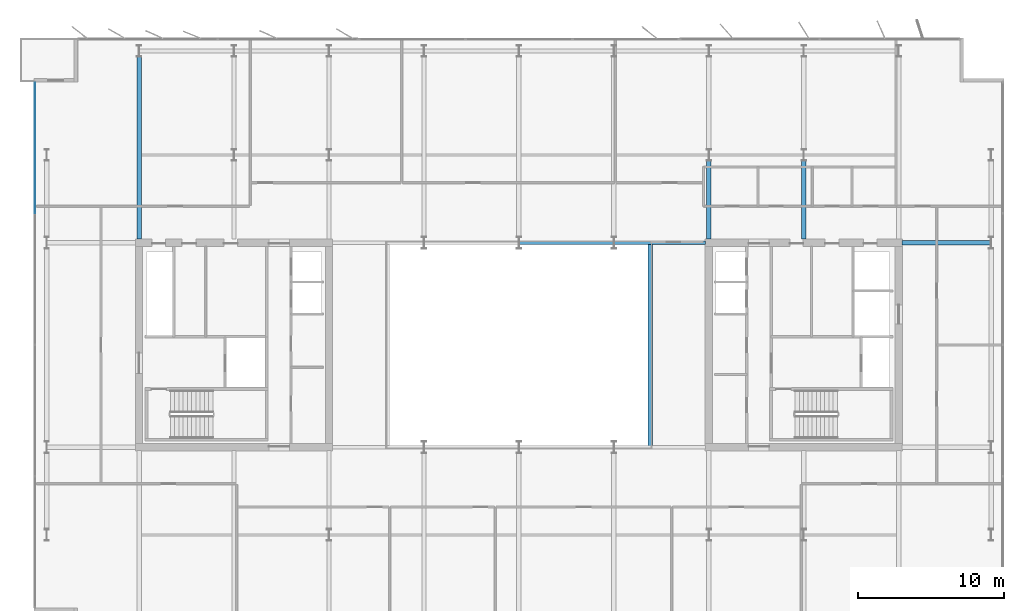
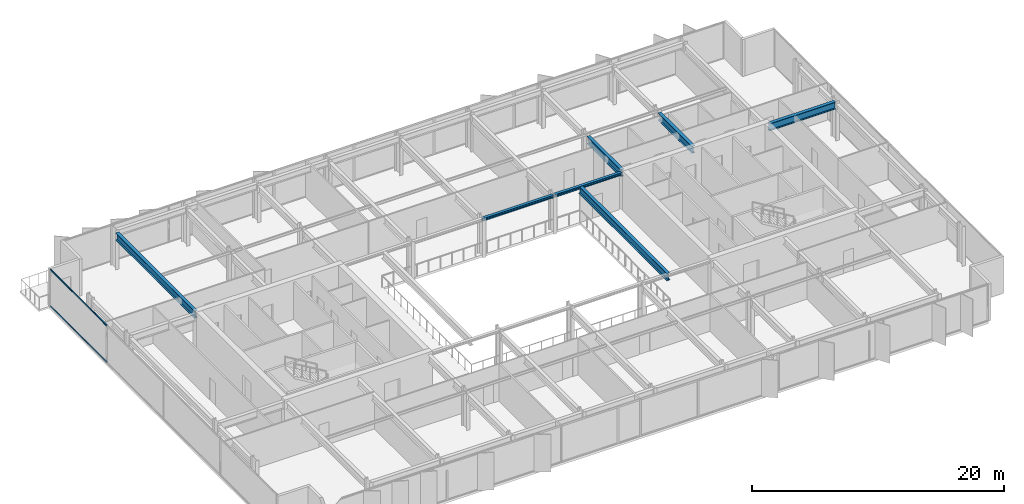
# One storey, part 9 of 23: 7 beams, 2 members, 1 element without a shape of its own.
"""IFC4 building model written with IfcOpenShell, lengths in metres."""

from ifc_helpers import new_model, si_unit, direction, frame, origin, origin_2d, place, context, subcontext, project, spatial, rectangle, i_section, extrude, material, layer, layer_set, material_profile, profile_set, type_object, element, aggregate, save


model = new_model("IFC4")

# Units and contexts
model_context = context("Model", 3, precision=1e-05, world=origin(), true_north=direction((0.0, 1.0)))
body_context = subcontext(model_context, "Body", "Model", "MODEL_VIEW")
ifc_project = project(units=[si_unit("LENGTHUNIT", "METRE"), si_unit("AREAUNIT", "SQUARE_METRE"), si_unit("VOLUMEUNIT", "CUBIC_METRE"), si_unit("PLANEANGLEUNIT", "RADIAN"), si_unit("MASSUNIT", "GRAM", prefix="KILO")], contexts=[model_context])

# Site, building, storey
site_placement = place(None, origin())
site = spatial("IfcSite", under=ifc_project, at=site_placement, CompositionType="ELEMENT")
building_placement = place(site_placement, origin())
building = spatial("IfcBuilding", under=site, at=building_placement, Name="Putna Gate Headquarters", CompositionType="ELEMENT")
storey_placement = place(building_placement, frame((0.0, 0.0, 210.0)))
storey = spatial("IfcBuildingStorey", under=building, at=storey_placement, Name="L52", CompositionType="ELEMENT", Elevation=210.0)

# Beams
ifc_material_1 = material(Name="Steel S355J2", Category="steel")
ifc_material_profile_1 = material_profile(ifc_material_1, i_section(OverallWidth=0.260009765625, OverallDepth=0.260009765625, WebThickness=0.010009765625, FlangeThickness=0.017578125, at=origin_2d()), Name="Steel S355J2")
ifc_profile_set_1 = profile_set([ifc_material_profile_1], Name="Steel S355J2")
beam_type_1 = type_object("IfcBeamType", Name="BM-ATRIUM-HEB260", PredefinedType="BEAM", material=ifc_profile_set_1)
beam_1_placement = place(storey_placement, frame((39.006103515625, 33.0, 3.449951171875), z_axis=(1.0, 0.0, 0.0), x_axis=(0.0, 1.0, 0.0)))
element("IfcBeam", 1, at=beam_1_placement, inside=storey, type_object=beam_type_1, Name="L52 Atrium Edge Beam AN3", PredefinedType="BEAM", context=body_context, shape_type="SweptSolid", body=[
    extrude(i_section(OverallWidth=0.260009765625, OverallDepth=0.260009765625, WebThickness=0.010009765625, FlangeThickness=0.017578125, at=origin_2d()), origin(), (0.0, 0.0, 1.0), 6.48779296875),
])
beam_2_placement = place(storey_placement, frame((45.506103515625, 33.0, 3.449951171875), z_axis=(1.0, 0.0, 0.0), x_axis=(0.0, 1.0, 0.0)))
element("IfcBeam", 2, at=beam_2_placement, inside=storey, type_object=beam_type_1, Name="L52 Atrium Edge Beam AN4", PredefinedType="BEAM", context=body_context, shape_type="SweptSolid", body=[
    extrude(i_section(OverallWidth=0.260009765625, OverallDepth=0.260009765625, WebThickness=0.010009765625, FlangeThickness=0.017578125, at=origin_2d()), origin(), (0.0, 0.0, 1.0), 6.2587890625),
])
ifc_material_profile_2 = material_profile(ifc_material_1, i_section(OverallWidth=0.300048828125, OverallDepth=0.699951171875, WebThickness=0.01708984375, FlangeThickness=0.031982421875, at=origin_2d()), Name="Steel S355J2")
ifc_profile_set_2 = profile_set([ifc_material_profile_2], Name="Steel S355J2")
beam_type_2 = type_object("IfcBeamType", Name="BM-GIRD-B-HEB700", PredefinedType="USERDEFINED", material=ifc_profile_set_2)
beam_3_placement = place(storey_placement, frame((65.235107421875, 33.0, 3.22998046875), z_axis=(1.0, 0.0, 0.0), x_axis=(0.0, 1.0, 0.0)))
element("IfcBeam", 3, at=beam_3_placement, inside=storey, type_object=beam_type_2, Name="L52 East Wing Girder Y33", ObjectType="GIRDER", PredefinedType="USERDEFINED", context=body_context, shape_type="SweptSolid", body=[
    extrude(i_section(OverallWidth=0.300048828125, OverallDepth=0.699951171875, WebThickness=0.01708984375, FlangeThickness=0.031982421875, at=origin_2d()), origin(), (0.0, 0.0, 1.0), 6.078857421875),
])
beam_4_placement = place(storey_placement, frame((13.0, 33.235107421875, 3.22998046875), z_axis=(0.0, 1.0, 0.0), x_axis=(-1.0, 0.0, 0.0)))
element("IfcBeam", 4, at=beam_4_placement, inside=storey, type_object=beam_type_2, Name="L52 North Primary Girder X13", ObjectType="GIRDER", PredefinedType="USERDEFINED", context=body_context, shape_type="SweptSolid", body=[
    extrude(i_section(OverallWidth=0.300048828125, OverallDepth=0.699951171875, WebThickness=0.01708984375, FlangeThickness=0.031982421875, at=origin_2d()), origin(), (0.0, 0.0, 1.0), 12.489990234375),
])
for number, where, z_axis, x_axis, name in (
    (5, (52.0, 33.235107421875, 3.22998046875), (0.0, 1.0, 0.0), (-1.0, 0.0, 0.0), "L52 North Primary Girder X52-1"),
    (6, (58.5, 33.235107421875, 3.22998046875), (0.0, 1.0, 0.0), (-1.0, 0.0, 0.0), "L52 North Primary Girder X58-1"),
):
    element("IfcBeam", number, at=place(storey_placement, frame(where, z_axis=z_axis, x_axis=x_axis)), inside=storey, type_object=beam_type_2, Name=name, ObjectType="GIRDER", PredefinedType="USERDEFINED", context=body_context, shape_type="SweptSolid", body=[
        extrude(i_section(OverallWidth=0.300048828125, OverallDepth=0.699951171875, WebThickness=0.01708984375, FlangeThickness=0.031982421875, at=origin_2d()), origin(), (0.0, 0.0, 1.0), 5.369873046875),
    ])
beam_5_placement = place(storey_placement, frame((48.0, 19.010009765625, 3.22998046875), z_axis=(0.0, 1.0, 0.0), x_axis=(-1.0, 0.0, 0.0)))
element("IfcBeam", 7, at=beam_5_placement, inside=storey, type_object=beam_type_2, Name="L52 Atrium Trim Girder AE", ObjectType="GIRDER", PredefinedType="USERDEFINED", context=body_context, shape_type="SweptSolid", body=[
    extrude(i_section(OverallWidth=0.300048828125, OverallDepth=0.699951171875, WebThickness=0.01708984375, FlangeThickness=0.031982421875, at=origin_2d()), origin(), (0.0, 0.0, 1.0), 13.97998046875),
])

# Curtain wall, members
ifc_material_2 = material(Name="Anodised bronze aluminium curtain wall", Category="aluminium")
ifc_layer = layer(ifc_material_2, 0.139892578125)
ifc_layer_set = layer_set([ifc_layer], Name="Anodised bronze aluminium curtain wall")
curtain_wall_type = type_object("IfcCurtainWallType", Name="CW-SYS-Z4", PredefinedType="USERDEFINED", material=ifc_layer_set)
curtain_wall_placement = place(storey_placement, origin())
curtain_wall = element("IfcCurtainWall", 8, at=curtain_wall_placement, inside=storey, type_object=curtain_wall_type, Name="L52 West Curtain Wall", ObjectType="STICK CURTAIN WALL", PredefinedType="USERDEFINED")
ifc_material_3 = material(Name="Anodised bronze aluminium EN AW-6060", Category="aluminium")
ifc_material_profile_3 = material_profile(ifc_material_3, rectangle(XDim=0.06005859375, YDim=0.10009765625, at=origin_2d()), Name="Anodised bronze aluminium EN AW-6060")
ifc_profile_set_3 = profile_set([ifc_material_profile_3], Name="Anodised bronze aluminium EN AW-6060")
member_type = type_object("IfcMemberType", Name="TRAN-CWT-4", PredefinedType="USERDEFINED", material=ifc_profile_set_3)
member_1_placement = place(storey_placement, frame((5.8798828125, 35.030029296875, 0.030029296875), z_axis=(0.0, 1.0, 0.0), x_axis=(-1.0, 0.0, 0.0)))
member_1 = element("IfcMember", 9, at=member_1_placement, type_object=member_type, Name="CWS-4 transom 4.1", ObjectType="TRANSOM", PredefinedType="USERDEFINED", context=body_context, shape_type="SweptSolid", body=[
    extrude(rectangle(XDim=0.06005859375, YDim=0.10009765625, at=origin_2d()), origin(), (0.0, 0.0, 1.0), 8.909912109375),
])
member_2_placement = place(storey_placement, frame((5.8798828125, 35.030029296875, 3.550048828125), z_axis=(0.0, 1.0, 0.0), x_axis=(-1.0, 0.0, 0.0)))
member_2 = element("IfcMember", 10, at=member_2_placement, type_object=member_type, Name="CWS-4 transom 4.2", ObjectType="TRANSOM", PredefinedType="USERDEFINED", context=body_context, shape_type="SweptSolid", body=[
    extrude(rectangle(XDim=0.06005859375, YDim=0.10009765625, at=origin_2d()), origin(), (0.0, 0.0, 1.0), 8.909912109375),
])
aggregate(curtain_wall, [member_1, member_2])

save(model, "model.ifc")
